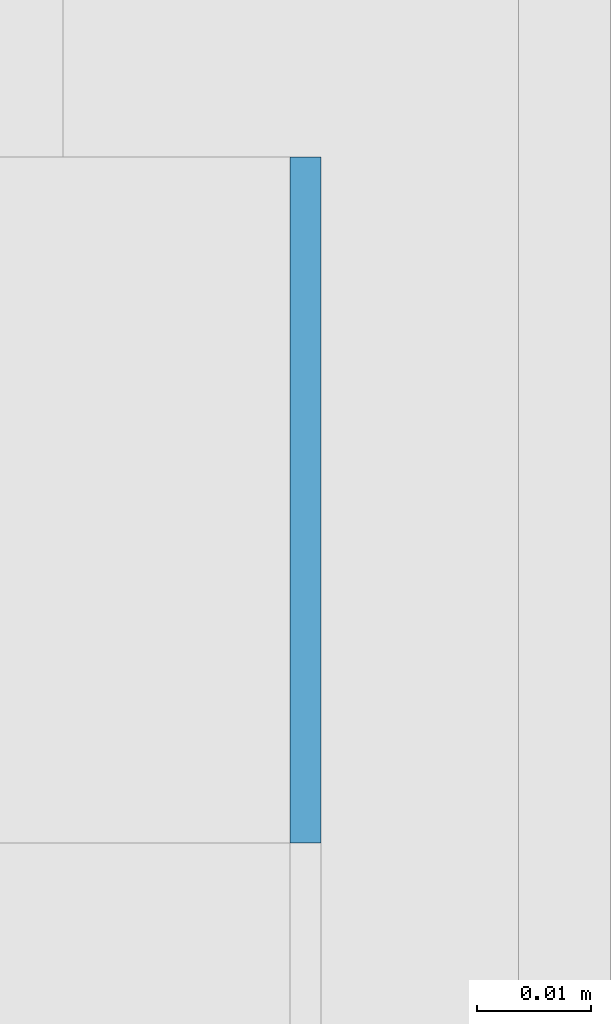
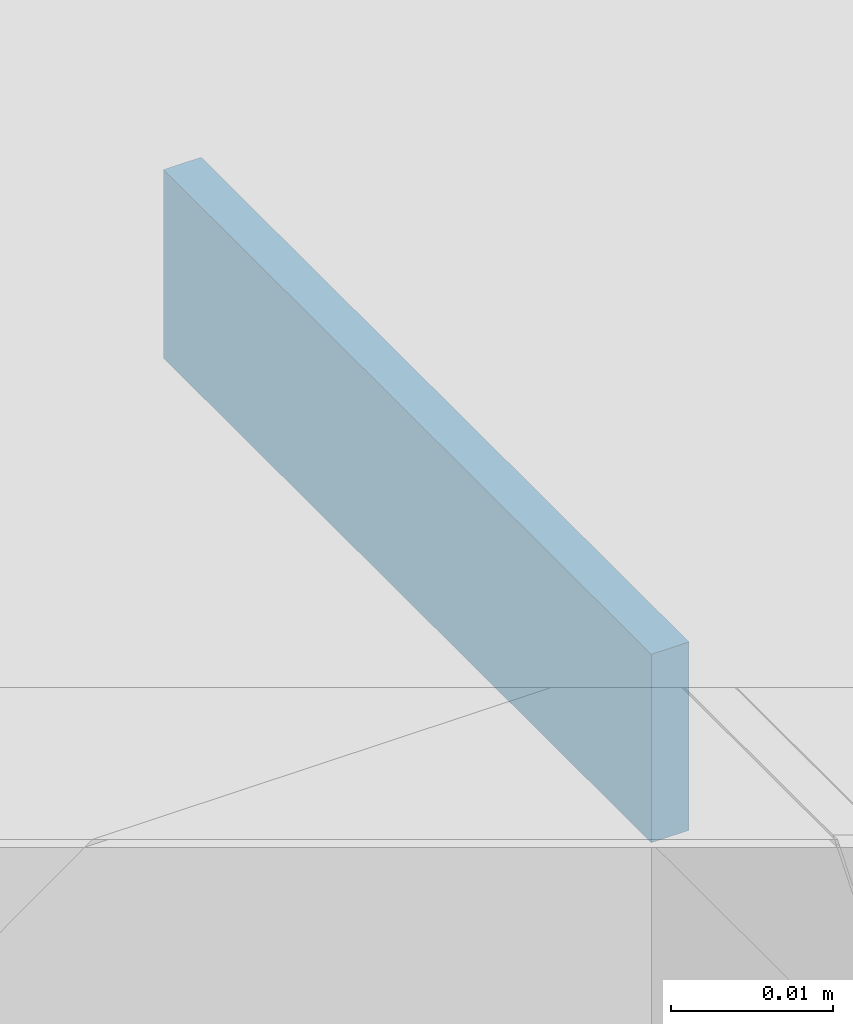
# One storey, part 301 of 646: 1 discrete accessory.
"""IFC4 building model written with IfcOpenShell, lengths in metres."""

from ifc_helpers import new_model, si_unit, direction, frame, origin, origin_2d, place, context, subcontext, project, spatial, rectangle, extrude, material, type_object, element, save


model = new_model("IFC4")

# Units and contexts
model_context = context("Model", 3, precision=1e-05, world=origin(), true_north=direction((0.0, 1.0)))
body_context = subcontext(model_context, "Body", "Model", "MODEL_VIEW")
ifc_project = project(units=[si_unit("LENGTHUNIT", "METRE"), si_unit("AREAUNIT", "SQUARE_METRE"), si_unit("VOLUMEUNIT", "CUBIC_METRE"), si_unit("PLANEANGLEUNIT", "RADIAN"), si_unit("MASSUNIT", "GRAM", prefix="KILO")], contexts=[model_context])

# Site, building, storey
site_placement = place(None, origin())
site = spatial("IfcSite", under=ifc_project, at=site_placement, CompositionType="ELEMENT")
building_placement = place(site_placement, origin())
building = spatial("IfcBuilding", under=site, at=building_placement, Name="Silverbay Arena", CompositionType="ELEMENT")
storey_placement = place(building_placement, frame((0.0, 0.0, 33.5)))
storey = spatial("IfcBuildingStorey", under=building, at=storey_placement, Name="L05", CompositionType="ELEMENT", Elevation=33.5)

# Discrete accessory
ifc_material = material(Name="Steel S355", Category="steel")
discrete_accessory_type = type_object("IfcDiscreteAccessoryType", Name="Steel bracket plate", PredefinedType="BRACKET", material=ifc_material)
discrete_accessory_placement = place(storey_placement, frame((53.871337890625, 63.030029296875, 12.98583984375), z_axis=(0.0, 0.0, 1.0), x_axis=(1.0, 0.0, 0.0)))
element("IfcDiscreteAccessory", 1, at=discrete_accessory_placement, inside=storey, type_object=discrete_accessory_type, Name="Curtain wall packing plate", PredefinedType="BRACKET", context=body_context, shape_type="SweptSolid", body=[
    extrude(rectangle(XDim=0.002685546875, YDim=0.06005859375, at=origin_2d()), origin(), (0.0, 0.0, 1.0), 0.01416015625),
])

save(model, "model.ifc")
